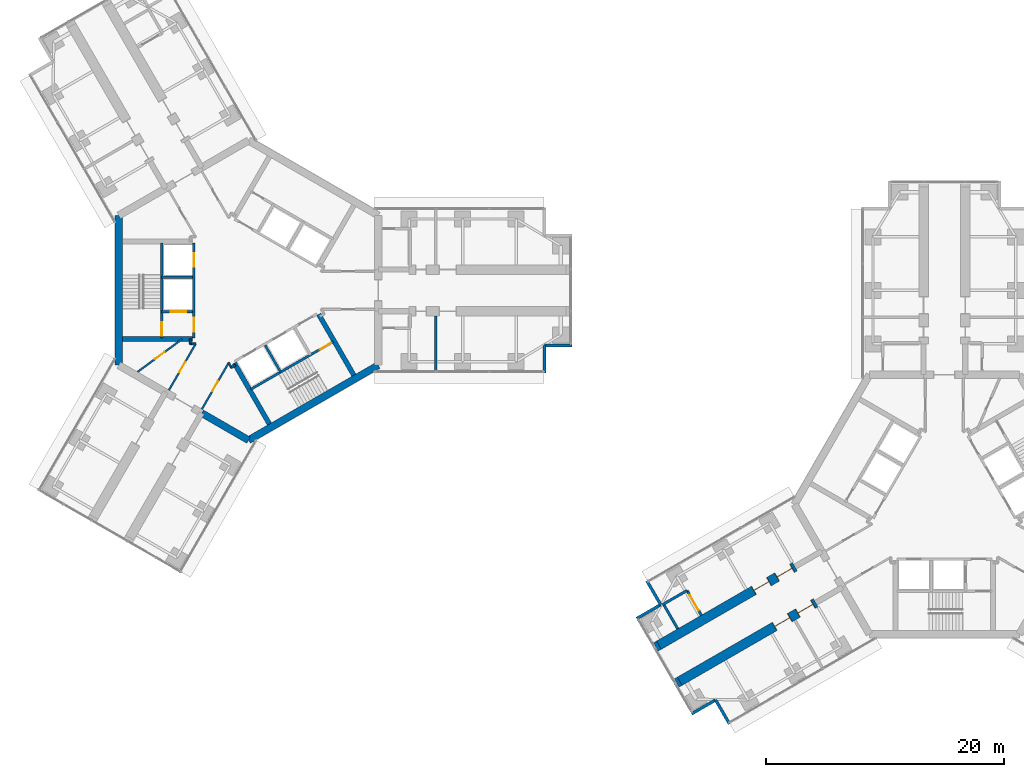
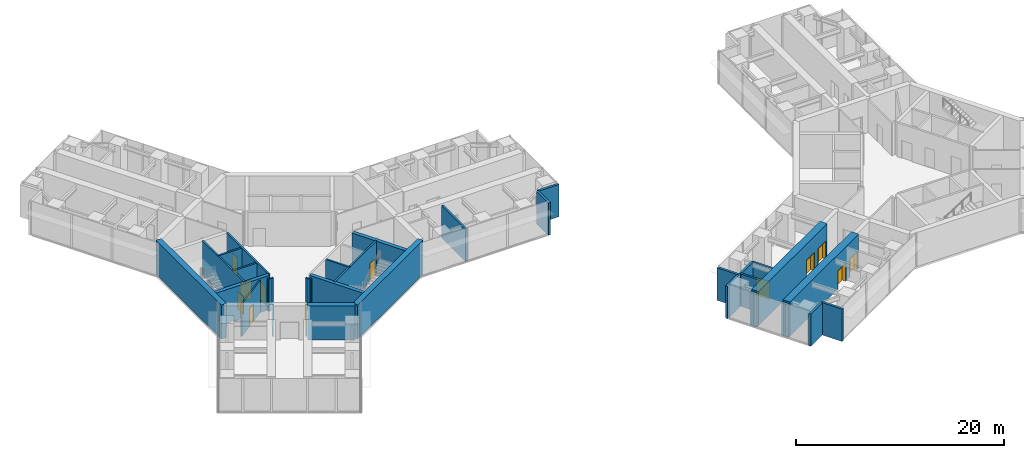
# One storey, part 15 of 21: 33 walls, 13 doors, 13 openings.
"""IFC4 building model written with IfcOpenShell, lengths in metres."""

from ifc_helpers import new_model, si_unit, direction, frame, frame_2d, origin, place, context, subcontext, project, spatial, rectangle, extrude, material, layer, layer_set, type_object, element, fill, save


model = new_model("IFC4")

# Units and contexts
model_context = context("Model", 3, precision=1e-05, world=origin(), true_north=direction((0.0, 1.0)))
body_context = subcontext(model_context, "Body", "Model", "MODEL_VIEW")
ifc_project = project(units=[si_unit("LENGTHUNIT", "METRE"), si_unit("AREAUNIT", "SQUARE_METRE"), si_unit("VOLUMEUNIT", "CUBIC_METRE"), si_unit("PLANEANGLEUNIT", "RADIAN"), si_unit("MASSUNIT", "GRAM", prefix="KILO")], contexts=[model_context])

# Site, building, storey
site_placement = place(None, origin())
site = spatial("IfcSite", under=ifc_project, at=site_placement, CompositionType="ELEMENT")
building_placement = place(site_placement, origin())
building = spatial("IfcBuilding", under=site, at=building_placement, Name="Upepo Twin Towers", CompositionType="ELEMENT")
storey_placement = place(building_placement, frame((0.0, 0.0, 109.5)))
storey = spatial("IfcBuildingStorey", under=building, at=storey_placement, Name="L26", CompositionType="ELEMENT", Elevation=109.5)

# Walls
ifc_material_1 = material(Name="Concrete blockwork, plastered both faces", Category="masonry")
ifc_layer_1 = layer(ifc_material_1, 0.215087890625)
ifc_layer_set_1 = layer_set([ifc_layer_1], Name="Blockwork partition 215")
wall_type_1 = type_object("IfcWallType", Name="Blockwork partition 215", PredefinedType="PARTITIONING", material=ifc_layer_set_1)
wall_1_placement = place(storey_placement, frame((15.75, -2.14990234375, 0.0), z_axis=(0.0, 0.0, 1.0), x_axis=(0.0, -1.0, 0.0)))
element("IfcWall", 1, at=wall_1_placement, inside=storey, type_object=wall_type_1, Name="T1 partition AR at 15.75", PredefinedType="PARTITIONING", context=body_context, shape_type="SweptSolid", body=[
    extrude(rectangle(XDim=4.60009765625, YDim=0.215087890625, at=frame_2d((2.300048828125, 0.0))), origin(), (0.0, 0.0, 1.0), 3.800048828125),
])
wall_2_placement = place(storey_placement, frame((36.869384765625, -25.234619140625, 0.0), z_axis=(0.0, 0.0, 1.0), x_axis=(-0.866050077142, -0.499957262057, 0.0)))
element("IfcWall", 2, at=wall_2_placement, inside=storey, type_object=wall_type_1, Name="T2 inner room partition BR at 22.35", PredefinedType="PARTITIONING", context=body_context, shape_type="SweptSolid", body=[
    extrude(rectangle(XDim=2.400146484375, YDim=0.215087890625, at=frame_2d((1.2001953125, 0.0))), origin(), (0.0, 0.0, 1.0), 3.800048828125),
])

# Wall, opening, door
wall_3_placement = place(storey_placement, frame((38.0693359375, -27.31298828125, 0.0), z_axis=(0.0, 0.0, 1.0), x_axis=(-0.500001309137, 0.866024647952, 0.0)))
wall_3 = element("IfcWall", 3, at=wall_3_placement, inside=storey, type_object=wall_type_1, Name="T2 inner room partition BR end at 22.35", PredefinedType="PARTITIONING", context=body_context, shape_type="SweptSolid", body=[
    extrude(rectangle(XDim=2.39990234375, YDim=0.215087890625, at=frame_2d((1.199951171875, 0.0))), origin(), (0.0, 0.0, 1.0), 3.800048828125),
])
opening_1_placement = place(wall_3_placement, frame((0.449951171875, 0.0, 0.0)))
opening_1 = element("IfcOpeningElement", 4, at=opening_1_placement, cuts=wall_3, Name="Opening D13", PredefinedType="OPENING", context=body_context, shape_type="SweptSolid", body=[
    extrude(rectangle(XDim=1.5, YDim=2.10009765625, at=frame_2d((0.75, 1.050048828125))), frame((0.0, 0.117431640625, 0.0), z_axis=(0.0, -1.0, 0.0), x_axis=(1.0, 0.0, 0.0)), (0.0, 0.0, 1.0), 0.235107421875),
])
ifc_material_2 = material(Name="Timber doorset", Category="wood")
door_type_1 = type_object("IfcDoorType", Name="Double door 1500 FD30", OperationType="DOUBLE_DOOR_SINGLE_SWING", PredefinedType="DOOR", material=ifc_material_2)
door_1_placement = place(opening_1_placement, origin())
door_1 = element("IfcDoor", 5, at=door_1_placement, inside=storey, type_object=door_type_1, Name="T2 L26 inner room door", OperationType="DOUBLE_DOOR_SINGLE_SWING", OverallHeight=2.10009765625, OverallWidth=1.5, PredefinedType="DOOR", context=body_context, shape_type="SweptSolid", body=[
    extrude(rectangle(XDim=1.5, YDim=2.10009765625, at=frame_2d((0.75, 1.050048828125))), frame((0.0, 0.02490234375, 0.0), z_axis=(0.0, -1.0, 0.0), x_axis=(1.0, 0.0, 0.0)), (0.0, 0.0, 1.0), 0.050048828125),
])
fill(opening_1, door_1)

# Walls
wall_4_placement = place(storey_placement, frame((36.083984375, -28.459228515625, 0.0), z_axis=(0.0, 0.0, 1.0), x_axis=(-0.500001309137, 0.866024647952, 0.0)))
element("IfcWall", 6, at=wall_4_placement, inside=storey, type_object=wall_type_1, Name="T2 inner room partition BR end at 24.75", PredefinedType="PARTITIONING", context=body_context, shape_type="SweptSolid", body=[
    extrude(rectangle(XDim=2.39990234375, YDim=0.215087890625, at=frame_2d((1.199951171875, 0.0))), origin(), (0.0, 0.0, 1.0), 3.800048828125),
])
ifc_material_3 = material(Name="Dense concrete blockwork", Category="masonry")
ifc_layer_2 = layer(ifc_material_3, 0.800048828125)
ifc_layer_set_2 = layer_set([ifc_layer_2], Name="Buttress closer 800, blockwork with fire-stopping to the curtain wall")
wall_type_2 = type_object("IfcWallType", Name="Buttress closer 800, blockwork with fire-stopping to the curtain wall", PredefinedType="PARTITIONING", material=ifc_layer_set_2)
wall_5_placement = place(storey_placement, frame((36.252197265625, -32.865478515625, 0.0), z_axis=(0.0, 0.0, 1.0), x_axis=(-0.865778900179, -0.500426713919, 0.0)))
element("IfcWall", 7, at=wall_5_placement, inside=storey, type_object=wall_type_2, Name="T2 L26 wing B buttress closer L", PredefinedType="PARTITIONING", context=body_context, shape_type="SweptSolid", body=[
    extrude(rectangle(XDim=0.300048828125, YDim=0.800048828125, at=frame_2d((0.14990234375, 0.0))), origin(), (0.0, 0.0, 1.0), 3.800048828125),
])
wall_6_placement = place(storey_placement, frame((34.502197265625, -29.83447265625, 0.0), z_axis=(0.0, 0.0, 1.0), x_axis=(-0.866131372301, -0.499816412211, 0.0)))
element("IfcWall", 8, at=wall_6_placement, inside=storey, type_object=wall_type_2, Name="T2 L26 wing B buttress closer R", PredefinedType="PARTITIONING", context=body_context, shape_type="SweptSolid", body=[
    extrude(rectangle(XDim=0.2998046875, YDim=0.800048828125, at=frame_2d((0.14990234375, 0.0))), origin(), (0.0, 0.0, 1.0), 3.800048828125),
])

# Wall, openings, doors
ifc_material_4 = material(Name="Concrete C60/75", Category="concrete")
ifc_layer_3 = layer(ifc_material_4, 0.800048828125)
ifc_layer_set_3 = layer_set([ifc_layer_3], Name="Concrete C60/75")
wall_type_3 = type_object("IfcWallType", Name="Buttress wall 800 RC", PredefinedType="SHEAR", material=ifc_layer_set_3)
wall_7_placement = place(storey_placement, frame((47.68359375, -26.265625, 0.0), z_axis=(0.0, 0.0, 1.0), x_axis=(-0.866027579429, -0.499996231654, 0.0)))
wall_7 = element("IfcWall", 9, at=wall_7_placement, inside=storey, type_object=wall_type_3, Name="T2 wing B buttress wall L part 2", PredefinedType="SHEAR", context=body_context, shape_type="SweptSolid", body=[
    extrude(rectangle(XDim=13.19970703125, YDim=0.800048828125, at=frame_2d((6.599853515625, 0.0))), origin(), (0.0, 0.0, 1.0), 4.0),
])
opening_2_placement = place(wall_7_placement, frame((0.25, 0.0, 0.0)))
opening_2 = element("IfcOpeningElement", 10, at=opening_2_placement, cuts=wall_7, Name="Opening D13", PredefinedType="OPENING", context=body_context, shape_type="SweptSolid", body=[
    extrude(rectangle(XDim=1.5, YDim=2.10009765625, at=frame_2d((0.75, 1.050048828125))), frame((0.0, 0.409912109375, 0.0), z_axis=(0.0, -1.0, 0.0), x_axis=(1.0, 0.0, 0.0)), (0.0, 0.0, 1.0), 0.820068359375),
])
opening_3_placement = place(wall_7_placement, frame((2.5, 0.0, 0.0)))
opening_3 = element("IfcOpeningElement", 11, at=opening_3_placement, cuts=wall_7, Name="Opening D13", PredefinedType="OPENING", context=body_context, shape_type="SweptSolid", body=[
    extrude(rectangle(XDim=1.5, YDim=2.10009765625, at=frame_2d((0.75, 1.050048828125))), frame((0.0, 0.409912109375, 0.0), z_axis=(0.0, -1.0, 0.0), x_axis=(1.0, 0.0, 0.0)), (0.0, 0.0, 1.0), 0.820068359375),
])
door_2_placement = place(opening_2_placement, origin())
door_2 = element("IfcDoor", 12, at=door_2_placement, inside=storey, type_object=door_type_1, Name="T2 L26 tutorial room door", OperationType="DOUBLE_DOOR_SINGLE_SWING", OverallHeight=2.10009765625, OverallWidth=1.5, PredefinedType="DOOR", context=body_context, shape_type="SweptSolid", body=[
    extrude(rectangle(XDim=1.42, YDim=2.06009765625, at=frame_2d((0.75, 1.030029296875))), frame((0.0, 0.02490234375, 0.0), z_axis=(0.0, -1.0, 0.0), x_axis=(1.0, 0.0, 0.0)), (0.0, 0.0, 1.0), 0.050048828125),
    extrude(rectangle(XDim=0.04, YDim=2.10009765625, at=frame_2d((0.02001953125, 1.050048828125))), frame((0.0, 0.39990234375, 0.0), z_axis=(0.0, -1.0, 0.0), x_axis=(1.0, 0.0, 0.0)), (0.0, 0.0, 1.0), 0.799560546875),
    extrude(rectangle(XDim=0.04, YDim=2.10009765625, at=frame_2d((1.47998046875, 1.050048828125))), frame((0.0, 0.39990234375, 0.0), z_axis=(0.0, -1.0, 0.0), x_axis=(1.0, 0.0, 0.0)), (0.0, 0.0, 1.0), 0.799560546875),
    extrude(rectangle(XDim=1.42, YDim=0.04, at=frame_2d((0.75, 2.080078125))), frame((0.0, 0.39990234375, 0.0), z_axis=(0.0, -1.0, 0.0), x_axis=(1.0, 0.0, 0.0)), (0.0, 0.0, 1.0), 0.799560546875),
])
fill(opening_2, door_2)
door_3_placement = place(opening_3_placement, origin())
door_3 = element("IfcDoor", 13, at=door_3_placement, inside=storey, type_object=door_type_1, Name="T2 L26 moot court door", OperationType="DOUBLE_DOOR_SINGLE_SWING", OverallHeight=2.10009765625, OverallWidth=1.5, PredefinedType="DOOR", context=body_context, shape_type="SweptSolid", body=[
    extrude(rectangle(XDim=1.42, YDim=2.06009765625, at=frame_2d((0.75, 1.030029296875))), frame((0.0, 0.02490234375, 0.0), z_axis=(0.0, -1.0, 0.0), x_axis=(1.0, 0.0, 0.0)), (0.0, 0.0, 1.0), 0.050048828125),
    extrude(rectangle(XDim=0.04, YDim=2.10009765625, at=frame_2d((0.02001953125, 1.050048828125))), frame((0.0, 0.39990234375, 0.0), z_axis=(0.0, -1.0, 0.0), x_axis=(1.0, 0.0, 0.0)), (0.0, 0.0, 1.0), 0.799560546875),
    extrude(rectangle(XDim=0.04, YDim=2.10009765625, at=frame_2d((1.47998046875, 1.050048828125))), frame((0.0, 0.39990234375, 0.0), z_axis=(0.0, -1.0, 0.0), x_axis=(1.0, 0.0, 0.0)), (0.0, 0.0, 1.0), 0.799560546875),
    extrude(rectangle(XDim=1.42, YDim=0.04, at=frame_2d((0.75, 2.080078125))), frame((0.0, 0.39990234375, 0.0), z_axis=(0.0, -1.0, 0.0), x_axis=(1.0, 0.0, 0.0)), (0.0, 0.0, 1.0), 0.799560546875),
])
fill(opening_3, door_3)

wall_8_placement = place(storey_placement, frame((45.93359375, -23.234375, 0.0), z_axis=(0.0, 0.0, 1.0), x_axis=(-0.866019570528, -0.500010103361, 0.0)))
wall_8 = element("IfcWall", 14, at=wall_8_placement, inside=storey, type_object=wall_type_3, Name="T2 wing B buttress wall R part 2", PredefinedType="SHEAR", context=body_context, shape_type="SweptSolid", body=[
    extrude(rectangle(XDim=13.199951171875, YDim=0.800048828125, at=frame_2d((6.60009765625, 0.0))), origin(), (0.0, 0.0, 1.0), 4.0),
])
opening_4_placement = place(wall_8_placement, frame((0.25, 0.0, 0.0)))
opening_4 = element("IfcOpeningElement", 15, at=opening_4_placement, cuts=wall_8, Name="Opening D13", PredefinedType="OPENING", context=body_context, shape_type="SweptSolid", body=[
    extrude(rectangle(XDim=1.5, YDim=2.10009765625, at=frame_2d((0.75, 1.050048828125))), frame((0.0, 0.409912109375, 0.0), z_axis=(0.0, -1.0, 0.0), x_axis=(1.0, 0.0, 0.0)), (0.0, 0.0, 1.0), 0.820068359375),
])
opening_5_placement = place(wall_8_placement, frame((2.5, 0.0, 0.0)))
opening_5 = element("IfcOpeningElement", 16, at=opening_5_placement, cuts=wall_8, Name="Opening D13", PredefinedType="OPENING", context=body_context, shape_type="SweptSolid", body=[
    extrude(rectangle(XDim=1.5, YDim=2.10009765625, at=frame_2d((0.75, 1.050048828125))), frame((0.0, 0.409912109375, 0.0), z_axis=(0.0, -1.0, 0.0), x_axis=(1.0, 0.0, 0.0)), (0.0, 0.0, 1.0), 0.820068359375),
])
door_4_placement = place(opening_4_placement, origin())
door_4 = element("IfcDoor", 17, at=door_4_placement, inside=storey, type_object=door_type_1, Name="T2 L26 moot court door", OperationType="DOUBLE_DOOR_SINGLE_SWING", OverallHeight=2.10009765625, OverallWidth=1.5, PredefinedType="DOOR", context=body_context, shape_type="SweptSolid", body=[
    extrude(rectangle(XDim=1.42, YDim=2.06009765625, at=frame_2d((0.75, 1.030029296875))), frame((0.0, 0.02490234375, 0.0), z_axis=(0.0, -1.0, 0.0), x_axis=(1.0, 0.0, 0.0)), (0.0, 0.0, 1.0), 0.050048828125),
    extrude(rectangle(XDim=0.04, YDim=2.10009765625, at=frame_2d((0.02001953125, 1.050048828125))), frame((0.0, 0.39990234375, 0.0), z_axis=(0.0, -1.0, 0.0), x_axis=(1.0, 0.0, 0.0)), (0.0, 0.0, 1.0), 0.799560546875),
    extrude(rectangle(XDim=0.04, YDim=2.10009765625, at=frame_2d((1.47998046875, 1.050048828125))), frame((0.0, 0.39990234375, 0.0), z_axis=(0.0, -1.0, 0.0), x_axis=(1.0, 0.0, 0.0)), (0.0, 0.0, 1.0), 0.799560546875),
    extrude(rectangle(XDim=1.42, YDim=0.04, at=frame_2d((0.75, 2.080078125))), frame((0.0, 0.39990234375, 0.0), z_axis=(0.0, -1.0, 0.0), x_axis=(1.0, 0.0, 0.0)), (0.0, 0.0, 1.0), 0.799560546875),
])
fill(opening_4, door_4)
door_5_placement = place(opening_5_placement, origin())
door_5 = element("IfcDoor", 18, at=door_5_placement, inside=storey, type_object=door_type_1, Name="T2 L26 moot court door", OperationType="DOUBLE_DOOR_SINGLE_SWING", OverallHeight=2.10009765625, OverallWidth=1.5, PredefinedType="DOOR", context=body_context, shape_type="SweptSolid", body=[
    extrude(rectangle(XDim=1.42, YDim=2.06009765625, at=frame_2d((0.75, 1.030029296875))), frame((0.0, 0.02490234375, 0.0), z_axis=(0.0, -1.0, 0.0), x_axis=(1.0, 0.0, 0.0)), (0.0, 0.0, 1.0), 0.050048828125),
    extrude(rectangle(XDim=0.04, YDim=2.10009765625, at=frame_2d((0.02001953125, 1.050048828125))), frame((0.0, 0.39990234375, 0.0), z_axis=(0.0, -1.0, 0.0), x_axis=(1.0, 0.0, 0.0)), (0.0, 0.0, 1.0), 0.799560546875),
    extrude(rectangle(XDim=0.04, YDim=2.10009765625, at=frame_2d((1.47998046875, 1.050048828125))), frame((0.0, 0.39990234375, 0.0), z_axis=(0.0, -1.0, 0.0), x_axis=(1.0, 0.0, 0.0)), (0.0, 0.0, 1.0), 0.799560546875),
    extrude(rectangle(XDim=1.42, YDim=0.04, at=frame_2d((0.75, 2.080078125))), frame((0.0, 0.39990234375, 0.0), z_axis=(0.0, -1.0, 0.0), x_axis=(1.0, 0.0, 0.0)), (0.0, 0.0, 1.0), 0.799560546875),
])
fill(opening_5, door_5)

# Walls
ifc_material_5 = material(Name="Concrete C60/75", Category="concrete")
ifc_layer_4 = layer(ifc_material_5, 0.60009765625)
ifc_layer_set_4 = layer_set([ifc_layer_4], Name="Concrete C60/75")
wall_type_4 = type_object("IfcWallType", Name="Core wall 600 RC", PredefinedType="SHEAR", material=ifc_layer_set_4)
wall_9_placement = place(storey_placement, frame((-10.908447265625, 6.2978515625, 0.0), z_axis=(0.0, 0.0, 1.0), x_axis=(0.0, -1.0, 0.0)))
element("IfcWall", 19, at=wall_9_placement, inside=storey, type_object=wall_type_4, Name="T1 core wall 180", PredefinedType="SHEAR", context=body_context, shape_type="SweptSolid", body=[
    extrude(rectangle(XDim=12.595703125, YDim=0.60009765625, at=frame_2d((6.2978515625, 0.0))), origin(), (0.0, 0.0, 1.0), 4.0),
])
wall_10_placement = place(storey_placement, frame((-3.938720703125, -10.32177734375, 0.0), z_axis=(0.0, 0.0, 1.0), x_axis=(0.866011268655, -0.500024481964, 0.0)))
element("IfcWall", 20, at=wall_10_placement, inside=storey, type_object=wall_type_4, Name="T1 core wall 240 L", PredefinedType="SHEAR", context=body_context, shape_type="SweptSolid", body=[
    extrude(rectangle(XDim=4.548095703125, YDim=0.60009765625, at=frame_2d((2.27392578125, 0.0))), origin(), (0.0, 0.0, 1.0), 4.0),
])
wall_11_placement = place(storey_placement, frame((0.0, -12.595947265625, 0.0), z_axis=(0.0, 0.0, 1.0), x_axis=(0.866021940709, 0.500005998175, 0.0)))
element("IfcWall", 21, at=wall_11_placement, inside=storey, type_object=wall_type_4, Name="T1 core wall 300", PredefinedType="SHEAR", context=body_context, shape_type="SweptSolid", body=[
    extrude(rectangle(XDim=12.595947265625, YDim=0.60009765625, at=frame_2d((6.2978515625, 0.0))), origin(), (0.0, 0.0, 1.0), 4.0),
])
ifc_material_6 = material(Name="Blockwork with anodised aluminium cladding", Category="masonry")
ifc_layer_5 = layer(ifc_material_6, 0.25)
ifc_layer_set_5 = layer_set([ifc_layer_5], Name="Notch cladding wall 250, pale metal")
wall_type_5 = type_object("IfcWallType", Name="Notch cladding wall 250, pale metal", PredefinedType="STANDARD", material=ifc_layer_set_5)
for number, where, z_axis, x_axis, name in (
    (22, (24.875, -6.949951171875, 0.0), (0.0, 0.0, 1.0), (0.0, 1.0, 0.0), "T1 L26 wing A notch wall R1"),
    (23, (24.875, -4.625, 0.0), (0.0, 0.0, 1.0), (1.0, 0.0, 0.0), "T1 L26 wing A notch wall R2"),
    (24, (40.4326171875, -36.456298828125, 0.0), (0.0, 0.0, 1.0), (-0.500046648681, 0.865998469481, 0.0), "T2 L26 wing B notch wall L1"),
    (25, (39.27001953125, -34.44287109375, 0.0), (0.0, 0.0, 1.0), (-0.865998469481, -0.500046648681, 0.0), "T2 L26 wing B notch wall L2"),
    (26, (33.482666015625, -24.418701171875, 0.0), (0.0, 0.0, 1.0), (0.499967891604, -0.866043940782, 0.0), "T2 L26 wing B notch wall R1"),
    (27, (34.64501953125, -26.43212890625, 0.0), (0.0, 0.0, 1.0), (-0.865998469481, -0.500046648681, 0.0), "T2 L26 wing B notch wall R2"),
):
    element("IfcWall", number, at=place(storey_placement, frame(where, z_axis=z_axis, x_axis=x_axis)), inside=storey, type_object=wall_type_5, Name=name, PredefinedType="STANDARD", context=body_context, shape_type="SweptSolid", body=[
        extrude(rectangle(XDim=2.324951171875, YDim=0.25, at=frame_2d((1.16259765625, 0.0))), origin(), (0.0, 0.0, 1.0), 3.800048828125),
    ])

# Wall, openings, doors
ifc_material_7 = material(Name="Concrete C40/50", Category="concrete")
ifc_layer_6 = layer(ifc_material_7, 0.199951171875)
ifc_layer_set_6 = layer_set([ifc_layer_6], Name="Concrete C40/50")
wall_type_6 = type_object("IfcWallType", Name="Shaft wall 200 RC", PredefinedType="SHEAR", material=ifc_layer_set_6)
wall_12_placement = place(storey_placement, frame((-4.60009765625, 4.0, 0.0), z_axis=(0.0, 0.0, 1.0), x_axis=(0.0, -1.0, 0.0)))
wall_12 = element("IfcWall", 28, at=wall_12_placement, inside=storey, type_object=wall_type_6, Name="T1 core W180 front wall", PredefinedType="SHEAR", context=body_context, shape_type="SweptSolid", body=[
    extrude(rectangle(XDim=8.0, YDim=0.199951171875, at=frame_2d((4.0, 0.0))), origin(), (0.0, 0.0, 1.0), 4.0),
])
opening_6_placement = place(wall_12_placement, frame((6.300048828125, 0.0, 0.0)))
opening_6 = element("IfcOpeningElement", 29, at=opening_6_placement, cuts=wall_12, Name="Opening D4", PredefinedType="OPENING", context=body_context, shape_type="SweptSolid", body=[
    extrude(rectangle(XDim=1.199951171875, YDim=2.10009765625, at=frame_2d((0.60009765625, 1.050048828125))), frame((0.0, 0.10986328125, 0.0), z_axis=(0.0, -1.0, 0.0), x_axis=(1.0, 0.0, 0.0)), (0.0, 0.0, 1.0), 0.219970703125),
])
opening_7_placement = place(wall_12_placement, frame((0.89990234375, 0.0, 0.0)))
opening_7 = element("IfcOpeningElement", 30, at=opening_7_placement, cuts=wall_12, Name="Opening LD1", PredefinedType="OPENING", context=body_context, shape_type="SweptSolid", body=[
    extrude(rectangle(XDim=1.10009765625, YDim=2.199951171875, at=frame_2d((0.550048828125, 1.10009765625))), frame((0.0, 0.10986328125, 0.0), z_axis=(0.0, -1.0, 0.0), x_axis=(1.0, 0.0, 0.0)), (0.0, 0.0, 1.0), 0.219970703125),
])
ifc_material_8 = material(Name="Steel doorset", Category="steel")
door_type_2 = type_object("IfcDoorType", Name="Lift landing door 1100", OperationType="DOUBLE_DOOR_SLIDING", PredefinedType="DOOR", material=ifc_material_8)
door_6_placement = place(opening_7_placement, origin())
door_6 = element("IfcDoor", 31, at=door_6_placement, inside=storey, type_object=door_type_2, Name="T1 L26 lift SV1 landing door", OperationType="DOUBLE_DOOR_SLIDING", OverallHeight=2.199951171875, OverallWidth=1.10009765625, PredefinedType="DOOR", context=body_context, shape_type="SweptSolid", body=[
    extrude(rectangle(XDim=1.10009765625, YDim=2.199951171875, at=frame_2d((0.550048828125, 1.10009765625))), frame((0.0, 0.02490234375, 0.0), z_axis=(0.0, -1.0, 0.0), x_axis=(1.0, 0.0, 0.0)), (0.0, 0.0, 1.0), 0.050048828125),
])
fill(opening_7, door_6)
ifc_material_9 = material(Name="Timber doorset", Category="wood")
door_type_3 = type_object("IfcDoorType", Name="Lobby door 1200 FD60", OperationType="SINGLE_SWING_LEFT", PredefinedType="DOOR", material=ifc_material_9)
door_7_placement = place(opening_6_placement, origin())
door_7 = element("IfcDoor", 32, at=door_7_placement, inside=storey, type_object=door_type_3, Name="T1 L26 W180 lobby door", OperationType="SINGLE_SWING_RIGHT", OverallHeight=2.10009765625, OverallWidth=1.199951171875, PredefinedType="DOOR", context=body_context, shape_type="SweptSolid", body=[
    extrude(rectangle(XDim=1.199951171875, YDim=2.10009765625, at=frame_2d((0.60009765625, 1.050048828125))), frame((0.0, 0.02490234375, 0.0), z_axis=(0.0, -1.0, 0.0), x_axis=(1.0, 0.0, 0.0)), (0.0, 0.0, 1.0), 0.050048828125),
])
fill(opening_6, door_7)

# Wall
wall_13_placement = place(storey_placement, frame((-4.699951171875, 1.10009765625, 0.0), z_axis=(0.0, 0.0, 1.0), x_axis=(-1.0, 0.0, 0.0)))
element("IfcWall", 33, at=wall_13_placement, inside=storey, type_object=wall_type_6, Name="T1 core W180 shaft divider", PredefinedType="SHEAR", context=body_context, shape_type="SweptSolid", body=[
    extrude(rectangle(XDim=2.60009765625, YDim=0.199951171875, at=frame_2d((1.300048828125, 0.0))), origin(), (0.0, 0.0, 1.0), 4.0),
])

# Wall, opening, door
wall_14_placement = place(storey_placement, frame((-4.699951171875, -1.800048828125, 0.0), z_axis=(0.0, 0.0, 1.0), x_axis=(-1.0, 0.0, 0.0)))
wall_14 = element("IfcWall", 34, at=wall_14_placement, inside=storey, type_object=wall_type_6, Name="T1 core W180 lobby wall", PredefinedType="SHEAR", context=body_context, shape_type="SweptSolid", body=[
    extrude(rectangle(XDim=2.60009765625, YDim=0.199951171875, at=frame_2d((1.300048828125, 0.0))), origin(), (0.0, 0.0, 1.0), 4.0),
])
opening_8_placement = place(wall_14_placement, frame((0.550048828125, 0.0, 0.0)))
opening_8 = element("IfcOpeningElement", 35, at=opening_8_placement, cuts=wall_14, Name="Opening LD2", PredefinedType="OPENING", context=body_context, shape_type="SweptSolid", body=[
    extrude(rectangle(XDim=1.300048828125, YDim=2.199951171875, at=frame_2d((0.64990234375, 1.10009765625))), frame((0.0, 0.10986328125, 0.0), z_axis=(0.0, -1.0, 0.0), x_axis=(1.0, 0.0, 0.0)), (0.0, 0.0, 1.0), 0.219970703125),
])
ifc_material_10 = material(Name="Steel doorset", Category="steel")
door_type_4 = type_object("IfcDoorType", Name="Firefighting lift landing door 1300", OperationType="DOUBLE_DOOR_SLIDING", PredefinedType="DOOR", material=ifc_material_10)
door_8_placement = place(opening_8_placement, origin())
door_8 = element("IfcDoor", 36, at=door_8_placement, inside=storey, type_object=door_type_4, Name="T1 L26 firefighting lift landing door", OperationType="DOUBLE_DOOR_SLIDING", OverallHeight=2.199951171875, OverallWidth=1.300048828125, PredefinedType="DOOR", context=body_context, shape_type="SweptSolid", body=[
    extrude(rectangle(XDim=1.300048828125, YDim=2.199951171875, at=frame_2d((0.64990234375, 1.10009765625))), frame((0.0, 0.02490234375, 0.0), z_axis=(0.0, -1.0, 0.0), x_axis=(1.0, 0.0, 0.0)), (0.0, 0.0, 1.0), 0.050048828125),
])
fill(opening_8, door_8)

wall_15_placement = place(storey_placement, frame((-7.300048828125, 4.0, 0.0), z_axis=(0.0, 0.0, 1.0), x_axis=(0.0, -1.0, 0.0)))
wall_15 = element("IfcWall", 37, at=wall_15_placement, inside=storey, type_object=wall_type_6, Name="T1 core W180 stair wall", PredefinedType="SHEAR", context=body_context, shape_type="SweptSolid", body=[
    extrude(rectangle(XDim=8.0, YDim=0.199951171875, at=frame_2d((4.0, 0.0))), origin(), (0.0, 0.0, 1.0), 4.0),
])
opening_9_placement = place(wall_15_placement, frame((6.699951171875, 0.0, 0.0)))
opening_9 = element("IfcOpeningElement", 38, at=opening_9_placement, cuts=wall_15, Name="Opening D3", PredefinedType="OPENING", context=body_context, shape_type="SweptSolid", body=[
    extrude(rectangle(XDim=1.10009765625, YDim=2.10009765625, at=frame_2d((0.550048828125, 1.050048828125))), frame((0.0, 0.10986328125, 0.0), z_axis=(0.0, -1.0, 0.0), x_axis=(1.0, 0.0, 0.0)), (0.0, 0.0, 1.0), 0.219970703125),
])
ifc_material_11 = material(Name="Timber doorset", Category="wood")
door_type_5 = type_object("IfcDoorType", Name="Stair door 1100 FD60", OperationType="SINGLE_SWING_LEFT", PredefinedType="DOOR", material=ifc_material_11)
door_9_placement = place(opening_9_placement, origin())
door_9 = element("IfcDoor", 39, at=door_9_placement, inside=storey, type_object=door_type_5, Name="T1 L26 stair door", OperationType="SINGLE_SWING_RIGHT", OverallHeight=2.10009765625, OverallWidth=1.10009765625, PredefinedType="DOOR", context=body_context, shape_type="SweptSolid", body=[
    extrude(rectangle(XDim=1.10009765625, YDim=2.10009765625, at=frame_2d((0.550048828125, 1.050048828125))), frame((0.0, 0.02490234375, 0.0), z_axis=(0.0, -1.0, 0.0), x_axis=(1.0, 0.0, 0.0)), (0.0, 0.0, 1.0), 0.050048828125),
])
fill(opening_9, door_9)

# Wall
wall_16_placement = place(storey_placement, frame((1.3974609375, -4.620361328125, 0.0), z_axis=(0.0, 0.0, 1.0), x_axis=(0.499936506574, -0.866062058628, 0.0)))
element("IfcWall", 40, at=wall_16_placement, inside=storey, type_object=wall_type_6, Name="T1 core W300 shaft divider", PredefinedType="SHEAR", context=body_context, shape_type="SweptSolid", body=[
    extrude(rectangle(XDim=2.599853515625, YDim=0.199951171875, at=frame_2d((1.2998046875, 0.0))), origin(), (0.0, 0.0, 1.0), 4.0),
])

# Wall, opening, door
wall_17_placement = place(storey_placement, frame((0.185791015625, -8.322021484375, 0.0), z_axis=(0.0, 0.0, 1.0), x_axis=(0.866026010844, 0.49999894854, 0.0)))
wall_17 = element("IfcWall", 41, at=wall_17_placement, inside=storey, type_object=wall_type_6, Name="T1 core W300 stair wall", PredefinedType="SHEAR", context=body_context, shape_type="SweptSolid", body=[
    extrude(rectangle(XDim=8.0, YDim=0.199951171875, at=frame_2d((4.0, 0.0))), origin(), (0.0, 0.0, 1.0), 4.0),
])
opening_10_placement = place(wall_17_placement, frame((6.699951171875, 0.0, 0.0)))
opening_10 = element("IfcOpeningElement", 42, at=opening_10_placement, cuts=wall_17, Name="Opening D3", PredefinedType="OPENING", context=body_context, shape_type="SweptSolid", body=[
    extrude(rectangle(XDim=1.10009765625, YDim=2.10009765625, at=frame_2d((0.550048828125, 1.050048828125))), frame((0.0, 0.10986328125, 0.0), z_axis=(0.0, -1.0, 0.0), x_axis=(1.0, 0.0, 0.0)), (0.0, 0.0, 1.0), 0.219970703125),
])
door_10_placement = place(opening_10_placement, origin())
door_10 = element("IfcDoor", 43, at=door_10_placement, inside=storey, type_object=door_type_5, Name="T1 L26 stair door", OperationType="SINGLE_SWING_RIGHT", OverallHeight=2.10009765625, OverallWidth=1.10009765625, PredefinedType="DOOR", context=body_context, shape_type="SweptSolid", body=[
    extrude(rectangle(XDim=1.10009765625, YDim=2.10009765625, at=frame_2d((0.550048828125, 1.050048828125))), frame((0.0, 0.02490234375, 0.0), z_axis=(0.0, -1.0, 0.0), x_axis=(1.0, 0.0, 0.0)), (0.0, 0.0, 1.0), 0.050048828125),
])
fill(opening_10, door_10)

# Walls
ifc_material_12 = material(Name="Concrete C40/50", Category="concrete")
ifc_layer_7 = layer(ifc_material_12, 0.39990234375)
ifc_layer_set_7 = layer_set([ifc_layer_7], Name="Concrete C40/50")
wall_type_7 = type_object("IfcWallType", Name="Shaft wall 400 RC", PredefinedType="SHEAR", material=ifc_layer_set_7)
for number, where, z_axis, x_axis, name in (
    (44, (-4.699951171875, -4.10009765625, 0.0), (0.0, 0.0, 1.0), (-1.0, 0.0, 0.0), "T1 core W180 side wall N"),
    (45, (5.900634765625, -2.020263671875, 0.0), (0.0, 0.0, 1.0), (0.500027676417, -0.866009424208, 0.0), "T1 core W300 side wall N"),
):
    element("IfcWall", number, at=place(storey_placement, frame(where, z_axis=z_axis, x_axis=x_axis)), inside=storey, type_object=wall_type_7, Name=name, PredefinedType="SHEAR", context=body_context, shape_type="SweptSolid", body=[
        extrude(rectangle(XDim=5.908447265625, YDim=0.39990234375, at=frame_2d((2.9541015625, 0.0))), origin(), (0.0, 0.0, 1.0), 4.0),
    ])
wall_18_placement = place(storey_placement, frame((-1.20068359375, -6.120361328125, 0.0), z_axis=(0.0, 0.0, 1.0), x_axis=(0.49999668571, -0.866027317282, 0.0)))
element("IfcWall", 46, at=wall_18_placement, inside=storey, type_object=wall_type_7, Name="T1 core W300 side wall S", PredefinedType="SHEAR", context=body_context, shape_type="SweptSolid", body=[
    extrude(rectangle(XDim=5.908203125, YDim=0.39990234375, at=frame_2d((2.9541015625, 0.0))), origin(), (0.0, 0.0, 1.0), 4.0),
])
ifc_material_13 = material(Name="Gypsum board on steel studs", Category="steel")
ifc_layer_8 = layer(ifc_material_13, 0.14990234375)
ifc_layer_set_8 = layer_set([ifc_layer_8], Name="Teaching partition 150 acoustic")
wall_type_8 = type_object("IfcWallType", Name="Teaching partition 150 acoustic", PredefinedType="PARTITIONING", material=ifc_layer_set_8)
wall_19_placement = place(storey_placement, frame((-1.092041015625, -6.28857421875, 0.0), z_axis=(0.0, 0.0, 1.0), x_axis=(-0.866138304741, -0.499804398801, 0.0)))
element("IfcWall", 47, at=wall_19_placement, inside=storey, type_object=wall_type_8, Name="T1 core room partition 2", PredefinedType="PARTITIONING", context=body_context, shape_type="SweptSolid", body=[
    extrude(rectangle(XDim=0.429931640625, YDim=0.14990234375, at=frame_2d((0.21484375, 0.0))), origin(), (0.0, 0.0, 1.0), 3.800048828125),
])
wall_20_placement = place(storey_placement, frame((-1.43701171875, -6.5107421875, 0.0), z_axis=(0.0, 0.0, 1.0), x_axis=(-0.50033519877, 0.865831790172, 0.0)))
element("IfcWall", 48, at=wall_20_placement, inside=storey, type_object=wall_type_8, Name="T1 core room partition 3", PredefinedType="PARTITIONING", context=body_context, shape_type="SweptSolid", body=[
    extrude(rectangle(XDim=0.494384765625, YDim=0.14990234375, at=frame_2d((0.2470703125, 0.0))), origin(), (0.0, 0.0, 1.0), 3.800048828125),
])

# Wall, opening, door
wall_21_placement = place(storey_placement, frame((-1.664306640625, -6.082763671875, 0.0), z_axis=(0.0, 0.0, 1.0), x_axis=(-0.500032713409, -0.866006515865, 0.0)))
wall_21 = element("IfcWall", 49, at=wall_21_placement, inside=storey, type_object=wall_type_8, Name="T1 core room partition 4", PredefinedType="PARTITIONING", context=body_context, shape_type="SweptSolid", body=[
    extrude(rectangle(XDim=4.518310546875, YDim=0.14990234375, at=frame_2d((2.25927734375, 0.0))), origin(), (0.0, 0.0, 1.0), 3.800048828125),
])
opening_11_placement = place(wall_21_placement, frame((1.769287109375, 0.0, 0.0)))
opening_11 = element("IfcOpeningElement", 50, at=opening_11_placement, cuts=wall_21, Name="Opening D1", PredefinedType="OPENING", context=body_context, shape_type="SweptSolid", body=[
    extrude(rectangle(XDim=1.0, YDim=2.10009765625, at=frame_2d((0.5, 1.050048828125))), frame((0.0, 0.0849609375, 0.0), z_axis=(0.0, -1.0, 0.0), x_axis=(1.0, 0.0, 0.0)), (0.0, 0.0, 1.0), 0.169921875),
])
ifc_material_14 = material(Name="Timber doorset", Category="wood")
door_type_6 = type_object("IfcDoorType", Name="Room door 1000 FD30", OperationType="SINGLE_SWING_LEFT", PredefinedType="DOOR", material=ifc_material_14)
door_11_placement = place(opening_11_placement, origin())
door_11 = element("IfcDoor", 51, at=door_11_placement, inside=storey, type_object=door_type_6, Name="T1 L26 core room door K3", OperationType="SINGLE_SWING_RIGHT", OverallHeight=2.10009765625, OverallWidth=1.0, PredefinedType="DOOR", context=body_context, shape_type="SweptSolid", body=[
    extrude(rectangle(XDim=1.0, YDim=2.10009765625, at=frame_2d((0.5, 1.050048828125))), frame((0.0, 0.02490234375, 0.0), z_axis=(0.0, -1.0, 0.0), x_axis=(1.0, 0.0, 0.0)), (0.0, 0.0, 1.0), 0.050048828125),
])
fill(opening_11, door_11)

wall_22_placement = place(storey_placement, frame((-6.69482421875, -8.395751953125, 0.0), z_axis=(0.0, 0.0, 1.0), x_axis=(0.500009315796, 0.86602002524, 0.0)))
wall_22 = element("IfcWall", 52, at=wall_22_placement, inside=storey, type_object=wall_type_8, Name="T1 core room partition 5", PredefinedType="PARTITIONING", context=body_context, shape_type="SweptSolid", body=[
    extrude(rectangle(XDim=4.5185546875, YDim=0.14990234375, at=frame_2d((2.25927734375, 0.0))), origin(), (0.0, 0.0, 1.0), 3.800048828125),
])
opening_12_placement = place(wall_22_placement, frame((1.7490234375, 0.0, 0.0)))
opening_12 = element("IfcOpeningElement", 53, at=opening_12_placement, cuts=wall_22, Name="Opening D1", PredefinedType="OPENING", context=body_context, shape_type="SweptSolid", body=[
    extrude(rectangle(XDim=1.0, YDim=2.10009765625, at=frame_2d((0.5, 1.050048828125))), frame((0.0, 0.0849609375, 0.0), z_axis=(0.0, -1.0, 0.0), x_axis=(1.0, 0.0, 0.0)), (0.0, 0.0, 1.0), 0.169921875),
])
door_12_placement = place(opening_12_placement, origin())
door_12 = element("IfcDoor", 54, at=door_12_placement, inside=storey, type_object=door_type_6, Name="T1 L26 core room door K2", OperationType="SINGLE_SWING_LEFT", OverallHeight=2.10009765625, OverallWidth=1.0, PredefinedType="DOOR", context=body_context, shape_type="SweptSolid", body=[
    extrude(rectangle(XDim=1.0, YDim=2.10009765625, at=frame_2d((0.5, 1.050048828125))), frame((0.0, 0.02490234375, 0.0), z_axis=(0.0, -1.0, 0.0), x_axis=(1.0, 0.0, 0.0)), (0.0, 0.0, 1.0), 0.050048828125),
])
fill(opening_12, door_12)

# Walls
wall_23_placement = place(storey_placement, frame((-4.425537109375, -4.5, 0.0), z_axis=(0.0, 0.0, 1.0), x_axis=(-1.0, 0.0, 0.0)))
element("IfcWall", 55, at=wall_23_placement, inside=storey, type_object=wall_type_8, Name="T1 core room partition 6", PredefinedType="PARTITIONING", context=body_context, shape_type="SweptSolid", body=[
    extrude(rectangle(XDim=0.494384765625, YDim=0.14990234375, at=frame_2d((0.2470703125, 0.0))), origin(), (0.0, 0.0, 1.0), 3.800048828125),
])
wall_24_placement = place(storey_placement, frame((-4.89990234375, -4.52001953125, 0.0), z_axis=(0.0, 0.0, 1.0), x_axis=(0.0, 1.0, 0.0)))
element("IfcWall", 56, at=wall_24_placement, inside=storey, type_object=wall_type_8, Name="T1 core room partition 7", PredefinedType="PARTITIONING", context=body_context, shape_type="SweptSolid", body=[
    extrude(rectangle(XDim=0.429931640625, YDim=0.14990234375, at=frame_2d((0.21484375, 0.0))), origin(), (0.0, 0.0, 1.0), 3.800048828125),
])

# Wall, opening, door
wall_25_placement = place(storey_placement, frame((-5.578369140625, -4.10009765625, 0.0), z_axis=(0.0, 0.0, 1.0), x_axis=(-0.805776726519, -0.592219441593, 0.0)))
wall_25 = element("IfcWall", 57, at=wall_25_placement, inside=storey, type_object=wall_type_8, Name="T1 core room partition 19", PredefinedType="PARTITIONING", context=body_context, shape_type="SweptSolid", body=[
    extrude(rectangle(XDim=4.660888671875, YDim=0.14990234375, at=frame_2d((2.33056640625, 0.0))), origin(), (0.0, 0.0, 1.0), 3.800048828125),
])
opening_13_placement = place(wall_25_placement, frame((1.83056640625, 0.0, 0.0)))
opening_13 = element("IfcOpeningElement", 58, at=opening_13_placement, cuts=wall_25, Name="Opening D1", PredefinedType="OPENING", context=body_context, shape_type="SweptSolid", body=[
    extrude(rectangle(XDim=1.0, YDim=2.10009765625, at=frame_2d((0.5, 1.050048828125))), frame((0.0, 0.0849609375, 0.0), z_axis=(0.0, -1.0, 0.0), x_axis=(1.0, 0.0, 0.0)), (0.0, 0.0, 1.0), 0.169921875),
])
door_13_placement = place(opening_13_placement, origin())
door_13 = element("IfcDoor", 59, at=door_13_placement, inside=storey, type_object=door_type_6, Name="T1 L26 core room door K1", OperationType="SINGLE_SWING_LEFT", OverallHeight=2.10009765625, OverallWidth=1.0, PredefinedType="DOOR", context=body_context, shape_type="SweptSolid", body=[
    extrude(rectangle(XDim=1.0, YDim=2.10009765625, at=frame_2d((0.5, 1.050048828125))), frame((0.0, 0.02490234375, 0.0), z_axis=(0.0, -1.0, 0.0), x_axis=(1.0, 0.0, 0.0)), (0.0, 0.0, 1.0), 0.050048828125),
])
fill(opening_13, door_13)

save(model, "model.ifc")
